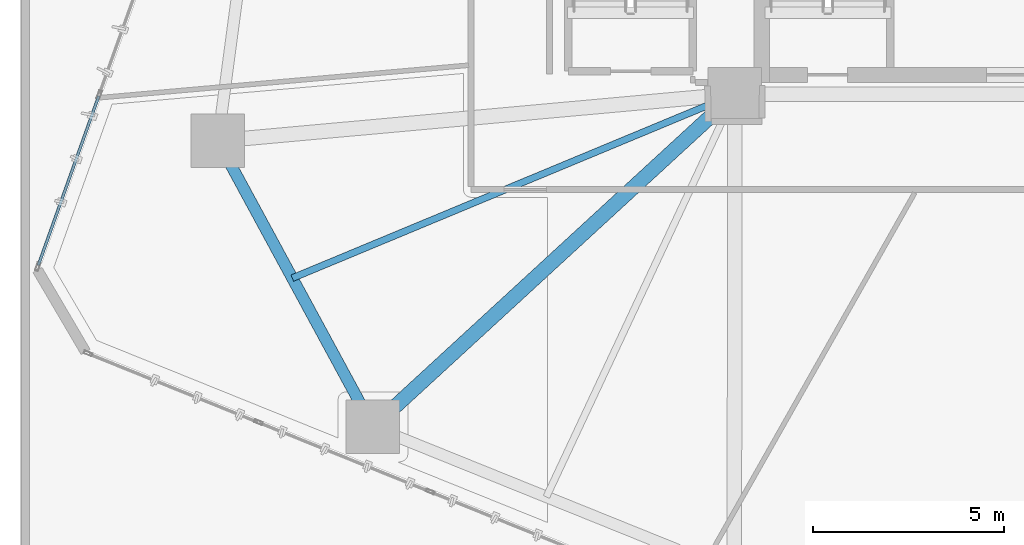
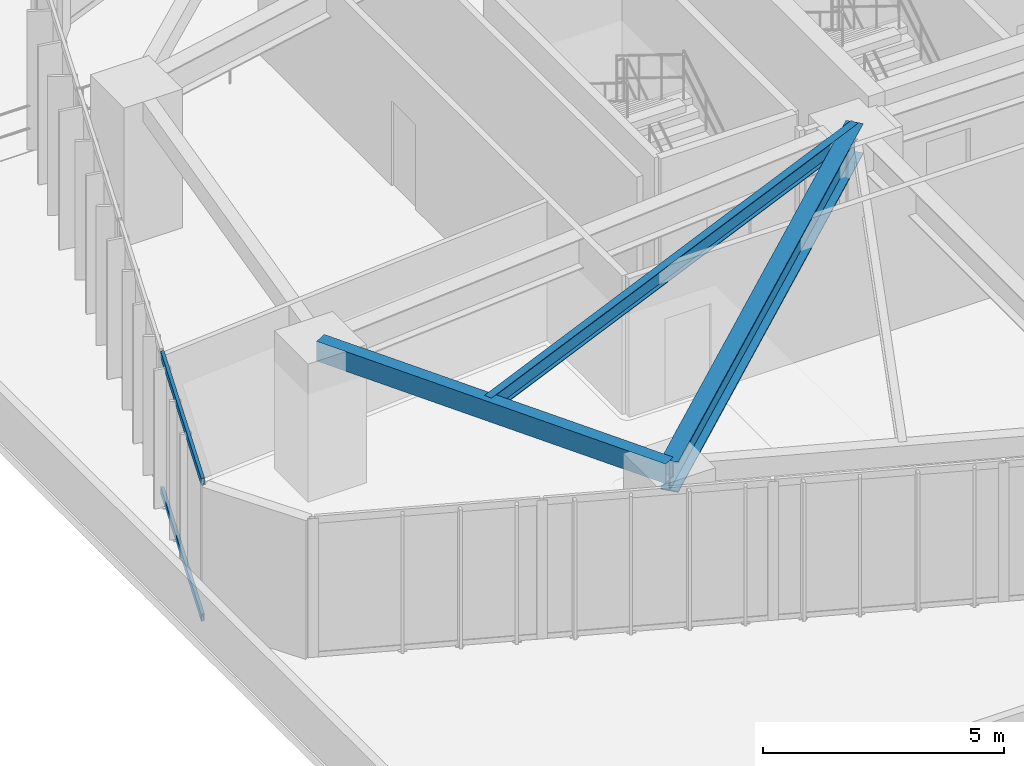
# One storey, part 3 of 23: 3 beams, 2 members, 1 element without a shape of its own.
"""IFC4 building model written with IfcOpenShell, lengths in metres."""

from ifc_helpers import new_model, si_unit, direction, frame, origin, origin_2d, place, context, subcontext, project, spatial, hollow_rectangle, i_section, extrude, source, transform, mapped, material, layer, layer_set, material_profile, profile_set, type_object, type_shapes, element, aggregate, save


model = new_model("IFC4")

# Units and contexts
model_context = context("Model", 3, precision=1e-05, world=origin(), true_north=direction((0.0, 1.0)))
body_context = subcontext(model_context, "Body", "Model", "MODEL_VIEW")
ifc_project = project(units=[si_unit("LENGTHUNIT", "METRE"), si_unit("AREAUNIT", "SQUARE_METRE"), si_unit("VOLUMEUNIT", "CUBIC_METRE"), si_unit("PLANEANGLEUNIT", "RADIAN"), si_unit("MASSUNIT", "GRAM", prefix="KILO")], contexts=[model_context])

# Site, building, storey
site_placement = place(None, origin())
site = spatial("IfcSite", under=ifc_project, at=site_placement, CompositionType="ELEMENT")
building_placement = place(site_placement, origin())
building = spatial("IfcBuilding", under=site, at=building_placement, Name="Talar Marvaseh", CompositionType="ELEMENT")
storey_placement = place(building_placement, frame((0.0, 0.0, 24.0)))
storey = spatial("IfcBuildingStorey", under=building, at=storey_placement, Name="L05", CompositionType="ELEMENT", Elevation=24.0)

# Beams
ifc_material_1 = material(Name="Steel S355", Category="steel")
ifc_material_profile_1 = material_profile(ifc_material_1, hollow_rectangle(XDim=0.300048828125, YDim=0.5, WallThickness=0.02001953125, at=origin_2d()), Name="RHS500x300x20")
ifc_profile_set_1 = profile_set([ifc_material_profile_1], Name="Steel S355")
beam_type_1 = type_object("IfcBeamType", Name="Zone 1 Perimeter Spandrel Beam RHS500x300x20", PredefinedType="SPANDREL", material=ifc_profile_set_1)
beam_1_placement = place(storey_placement, frame((9.23193359375, 16.7958984375, 3.27001953125), z_axis=(-0.476758155578, 0.879034505062, 0.0), x_axis=(-0.879034505062, -0.476758155578, 0.0)))
element("IfcBeam", 1, at=beam_1_placement, inside=storey, type_object=beam_type_1, Name="L05 Zone 1 Perimeter Spandrel Beam RHS500x300x20", PredefinedType="SPANDREL", context=body_context, shape_type="SweptSolid", body=[
    extrude(hollow_rectangle(XDim=0.300048828125, YDim=0.5, WallThickness=0.02001953125, at=origin_2d()), origin(), (0.0, 0.0, 1.0), 8.50927734375),
])
ifc_material_profile_2 = material_profile(ifc_material_1, i_section(OverallWidth=0.381103515625, OverallDepth=0.77294921875, WebThickness=0.0166015625, FlangeThickness=0.027099609375, at=origin_2d()), Name="W760x257")
ifc_profile_set_2 = profile_set([ifc_material_profile_2], Name="Steel S355")
beam_type_2 = type_object("IfcBeamType", Name="Zone 1 Radial Floor Girder W760x257", PredefinedType="BEAM", material=ifc_profile_set_2)
beam_2_placement = place(storey_placement, frame((9.23193359375, 16.7958984375, 3.133544921875), z_axis=(0.736181804049, 0.676783829142, 0.0), x_axis=(-0.676783829142, 0.736181804049, 0.0)))
element("IfcBeam", 2, at=beam_2_placement, inside=storey, type_object=beam_type_2, Name="L05 Zone 1 Radial Floor Girder W760x257", PredefinedType="BEAM", context=body_context, shape_type="SweptSolid", body=[
    extrude(i_section(OverallWidth=0.381103515625, OverallDepth=0.77294921875, WebThickness=0.0166015625, FlangeThickness=0.027099609375, at=origin_2d()), origin(), (0.0, 0.0, 1.0), 12.861083984375),
])
ifc_material_profile_3 = material_profile(ifc_material_1, i_section(OverallWidth=0.179931640625, OverallDepth=0.4130859375, WebThickness=0.009765625, FlangeThickness=0.01611328125, at=origin_2d()), Name="W410x75")
ifc_profile_set_3 = profile_set([ifc_material_profile_3], Name="Steel S355")
beam_type_3 = type_object("IfcBeamType", Name="Zone 1 Secondary Floor Joist W410x75", PredefinedType="JOIST", material=ifc_profile_set_3)
beam_3_placement = place(storey_placement, frame((7.122314453125, 20.685546875, 3.3134765625), z_axis=(0.923347443105, 0.383965492346, 0.0), x_axis=(-0.383965492346, 0.923347443105, 0.0)))
element("IfcBeam", 3, at=beam_3_placement, inside=storey, type_object=beam_type_3, Name="L05 Zone 1 Secondary Floor Joist W410x75", PredefinedType="JOIST", context=body_context, shape_type="SweptSolid", body=[
    extrude(i_section(OverallWidth=0.179931640625, OverallDepth=0.4130859375, WebThickness=0.009765625, FlangeThickness=0.01611328125, at=origin_2d()), origin(), (0.0, 0.0, 1.0), 12.538818359375),
])

# Curtain wall, members
ifc_material_2 = material(Name="Architectural Aluminium", Category="aluminium")
ifc_layer = layer(ifc_material_2, 0.219970703125)
ifc_layer_set = layer_set([ifc_layer], Name="Architectural Aluminium")
curtain_wall_type = type_object("IfcCurtainWallType", Name="Unitised Low-E Museum Curtain Wall Z1", PredefinedType="NOTDEFINED", material=ifc_layer_set)
curtain_wall_placement = place(storey_placement, origin())
curtain_wall = element("IfcCurtainWall", 4, at=curtain_wall_placement, inside=storey, type_object=curtain_wall_type, Name="L05 Unitised Low-E Museum Curtain Wall Z1", PredefinedType="NOTDEFINED")
ifc_material_profile_4 = material_profile(ifc_material_2, hollow_rectangle(XDim=0.074951171875, YDim=0.179931640625, WallThickness=0.0048828125, at=origin_2d()), Name="RHS180x75x5")
ifc_profile_set_4 = profile_set([ifc_material_profile_4], Name="Architectural Aluminium")
member_type = type_object("IfcMemberType", Name="Unitised Curtain Wall Transom RHS180x75x5", PredefinedType="USERDEFINED", material=ifc_profile_set_4)
shared_shape = source(origin(), body_context, "Body", "SweptSolid", [
    extrude(hollow_rectangle(XDim=0.074951171875, YDim=0.179931640625, WallThickness=0.0048828125, at=origin_2d()), origin(), (0.0, 0.0, 1.0), 4.69677734375),
])
type_shapes(member_type, [shared_shape])
member_1_placement = place(storey_placement, frame((0.48046875, 21.0234375, 0.03759765625), z_axis=(0.336319932236, 0.941747791705, 0.0), x_axis=(-0.941747791705, 0.336319932236, 0.0)))
member_1 = element("IfcMember", 5, at=member_1_placement, type_object=member_type, Name="CW-Z1 transom 1.1", ObjectType="TRANSOM", PredefinedType="USERDEFINED", context=body_context, shape_type="MappedRepresentation", body=[
    mapped(shared_shape, transform((0.0, 0.0, 0.0), x_axis=(1.0, 0.0, 0.0), y_axis=(0.0, 1.0, 0.0), z_axis=(0.0, 0.0, 1.0), scale=1.0)),
])
member_2_placement = place(storey_placement, frame((0.48046875, 21.0234375, 3.482421875), z_axis=(0.336319932236, 0.941747791705, 0.0), x_axis=(-0.941747791705, 0.336319932236, 0.0)))
member_2 = element("IfcMember", 6, at=member_2_placement, type_object=member_type, Name="CW-Z1 transom 1.2", ObjectType="TRANSOM", PredefinedType="USERDEFINED", context=body_context, shape_type="MappedRepresentation", body=[
    mapped(shared_shape, transform((0.0, 0.0, 0.0), x_axis=(1.0, 0.0, 0.0), y_axis=(0.0, 1.0, 0.0), z_axis=(0.0, 0.0, 1.0), scale=1.0)),
])
aggregate(curtain_wall, [member_1, member_2])

save(model, "model.ifc")
